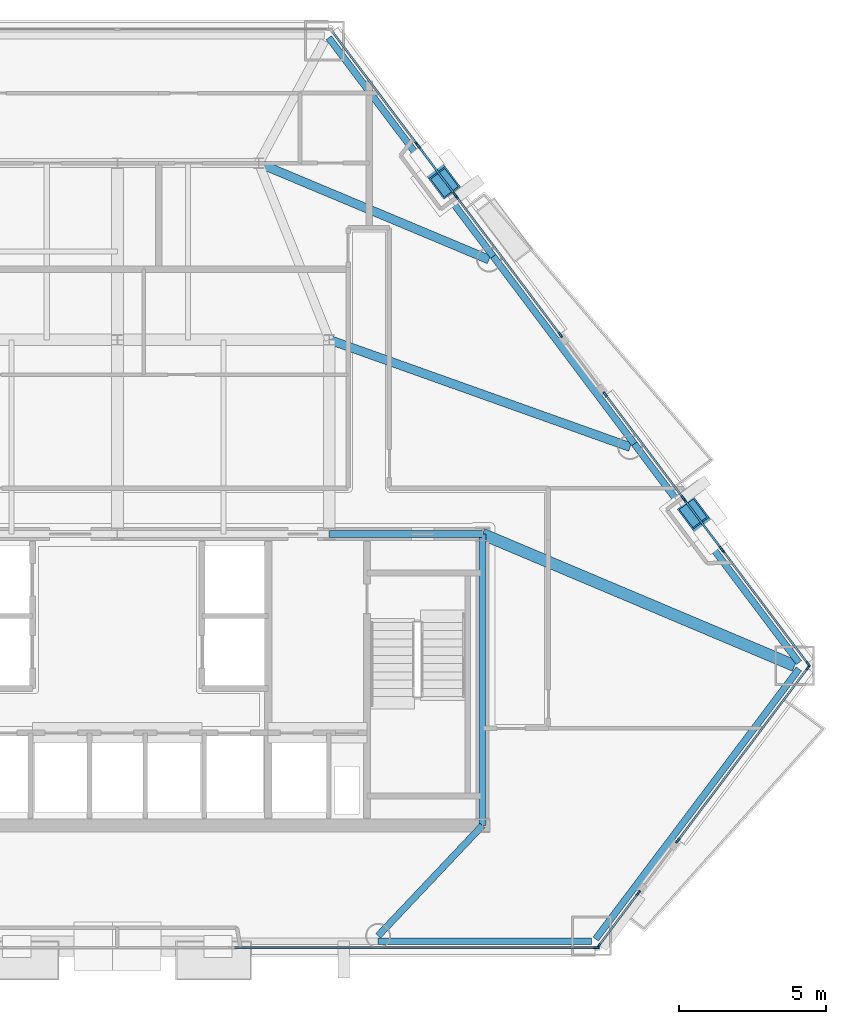
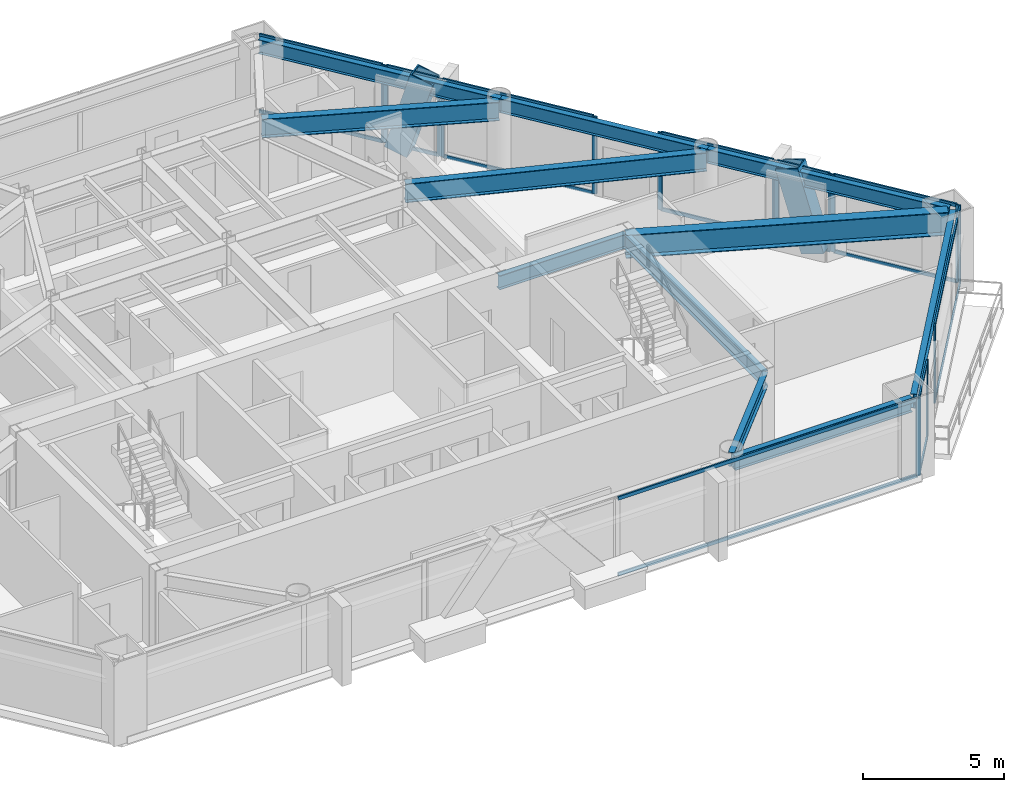
# One storey, part 4 of 11: 36 members, 11 beams, 9 elements without a shape of their own.
"""IFC4 building model written with IfcOpenShell, lengths in metres."""

from ifc_helpers import new_model, si_unit, direction, frame, origin, origin_2d, place, context, subcontext, project, spatial, rectangle, hollow_rectangle, i_section, extrude, material, layer, layer_set, material_profile, profile_set, type_object, element, aggregate, save


model = new_model("IFC4")

# Units and contexts
model_context = context("Model", 3, precision=1e-05, world=origin(), true_north=direction((0.0, 1.0)))
body_context = subcontext(model_context, "Body", "Model", "MODEL_VIEW")
ifc_project = project(units=[si_unit("LENGTHUNIT", "METRE"), si_unit("AREAUNIT", "SQUARE_METRE"), si_unit("VOLUMEUNIT", "CUBIC_METRE"), si_unit("PLANEANGLEUNIT", "RADIAN"), si_unit("MASSUNIT", "GRAM", prefix="KILO")], contexts=[model_context])

# Site, building, storey
site_placement = place(None, origin())
site = spatial("IfcSite", under=ifc_project, at=site_placement, CompositionType="ELEMENT")
building_placement = place(site_placement, origin())
building = spatial("IfcBuilding", under=site, at=building_placement, Name="Talgorran Terracotta Tower", CompositionType="ELEMENT")
storey_placement = place(building_placement, frame((0.0, 0.0, 72.0)))
storey = spatial("IfcBuildingStorey", under=building, at=storey_placement, Name="L18", CompositionType="ELEMENT", Elevation=72.0)

# Beams
ifc_material_1 = material(Name="Steel Grade 350 (350L0)", Category="steel")
ifc_material_profile_1 = material_profile(ifc_material_1, i_section(OverallWidth=0.39990234375, OverallDepth=1.0, WebThickness=0.01611328125, FlangeThickness=0.031005859375, at=origin_2d()), Name="1000WB296")
ifc_profile_set_1 = profile_set([ifc_material_profile_1], Name="Steel Grade 350 (350L0)")
beam_type_1 = type_object("IfcBeamType", Name="BM_1000WB296", PredefinedType="BEAM", material=ifc_profile_set_1)
beam_1_placement = place(storey_placement, frame((12.39990234375, -4.199951171875, 2.85009765625), z_axis=(0.921400833848, -0.388613565619, 0.0), x_axis=(0.388613565619, 0.921400833848, 0.0)))
element("IfcBeam", 1, at=beam_1_placement, inside=storey, type_object=beam_type_1, Name="L18 Floor Girder G18", PredefinedType="BEAM", context=body_context, shape_type="SweptSolid", body=[
    extrude(i_section(OverallWidth=0.39990234375, OverallDepth=1.0, WebThickness=0.01611328125, FlangeThickness=0.031005859375, at=origin_2d()), origin(), (0.0, 0.0, 1.0), 11.510009765625),
])
ifc_material_2 = material(Name="Steel S355 (300PLUS)", Category="steel")
ifc_material_profile_2 = material_profile(ifc_material_2, i_section(OverallWidth=0.300048828125, OverallDepth=0.81591796875, WebThickness=0.013916015625, FlangeThickness=0.028076171875, at=origin_2d()), Name="800WB192")
ifc_profile_set_2 = profile_set([ifc_material_profile_2], Name="Steel S355 (300PLUS)")
beam_type_2 = type_object("IfcBeamType", Name="BM_800WB192", PredefinedType="BEAM", material=ifc_profile_set_2)
beam_2_placement = place(storey_placement, frame((7.199951171875, 2.39990234375, 2.94189453125), z_axis=(0.941876792617, -0.335958490783, 0.0), x_axis=(0.335958490783, 0.941876792617, 0.0)))
element("IfcBeam", 2, at=beam_2_placement, inside=storey, type_object=beam_type_2, Name="L18 Floor Girder G07", PredefinedType="BEAM", context=body_context, shape_type="SweptSolid", body=[
    extrude(i_section(OverallWidth=0.300048828125, OverallDepth=0.81591796875, WebThickness=0.013916015625, FlangeThickness=0.028076171875, at=origin_2d()), origin(), (0.0, 0.0, 1.0), 10.845947265625),
])
beam_3_placement = place(storey_placement, frame((4.800048828125, 8.39990234375, 2.94189453125), z_axis=(0.922404506717, -0.386225227023, 0.0), x_axis=(0.386225227023, 0.922404506717, 0.0)))
element("IfcBeam", 3, at=beam_3_placement, inside=storey, type_object=beam_type_2, Name="L18 Floor Girder G14", PredefinedType="BEAM", context=body_context, shape_type="SweptSolid", body=[
    extrude(i_section(OverallWidth=0.300048828125, OverallDepth=0.81591796875, WebThickness=0.013916015625, FlangeThickness=0.028076171875, at=origin_2d()), origin(), (0.0, 0.0, 1.0), 8.482421875),
])
ifc_material_profile_3 = material_profile(ifc_material_2, i_section(OverallWidth=0.22900390625, OverallDepth=0.611572265625, WebThickness=0.011962890625, FlangeThickness=0.01953125, at=origin_2d()), Name="610UB125")
ifc_profile_set_3 = profile_set([ifc_material_profile_3], Name="Steel S355 (300PLUS)")
beam_type_3 = type_object("IfcBeamType", Name="BM_SP_610UB125", PredefinedType="SPANDREL", material=ifc_profile_set_3)
beam_4_placement = place(storey_placement, frame((8.8564453125, -18.026611328125, 3.044189453125), z_axis=(1.0, 0.0, 0.0), x_axis=(0.0, 1.0, 0.0)))
element("IfcBeam", 4, at=beam_4_placement, inside=storey, type_object=beam_type_3, Name="L18 Perimeter Spandrel Beam FC2-MC3", PredefinedType="SPANDREL", context=body_context, shape_type="SweptSolid", body=[
    extrude(i_section(OverallWidth=0.22900390625, OverallDepth=0.611572265625, WebThickness=0.011962890625, FlangeThickness=0.01953125, at=origin_2d()), origin(), (0.0, 0.0, 1.0), 7.24609375),
])
beam_5_placement = place(storey_placement, frame((16.246337890625, -17.954833984375, 3.044189453125), z_axis=(0.601237780209, 0.799070166913, 0.0), x_axis=(-0.799070166913, 0.601237780209, 0.0)))
element("IfcBeam", 5, at=beam_5_placement, inside=storey, type_object=beam_type_3, Name="L18 Perimeter Spandrel Beam MC3-MC4", PredefinedType="SPANDREL", context=body_context, shape_type="SweptSolid", body=[
    extrude(i_section(OverallWidth=0.22900390625, OverallDepth=0.611572265625, WebThickness=0.011962890625, FlangeThickness=0.01953125, at=origin_2d()), origin(), (0.0, 0.0, 1.0), 11.480712890625),
])
beam_6_placement = place(storey_placement, frame((23.14892578125, -8.564697265625, 3.044189453125), z_axis=(-0.601217758064, 0.799085231617, 0.0), x_axis=(-0.799085231617, -0.601217758064, 0.0)))
element("IfcBeam", 6, at=beam_6_placement, inside=storey, type_object=beam_type_3, Name="L18 Perimeter Spandrel Beam MC4-FC3", PredefinedType="SPANDREL", context=body_context, shape_type="SweptSolid", body=[
    extrude(i_section(OverallWidth=0.22900390625, OverallDepth=0.611572265625, WebThickness=0.011962890625, FlangeThickness=0.01953125, at=origin_2d()), origin(), (0.0, 0.0, 1.0), 9.297119140625),
])
beam_7_placement = place(storey_placement, frame((17.559326171875, -1.135498046875, 3.044189453125), z_axis=(-0.601259066115, 0.799054150489, 0.0), x_axis=(-0.799054150489, -0.601259066115, 0.0)))
element("IfcBeam", 7, at=beam_7_placement, inside=storey, type_object=beam_type_3, Name="L18 Perimeter Spandrel Beam FC3-FC4", PredefinedType="SPANDREL", context=body_context, shape_type="SweptSolid", body=[
    extrude(i_section(OverallWidth=0.22900390625, OverallDepth=0.611572265625, WebThickness=0.011962890625, FlangeThickness=0.01953125, at=origin_2d()), origin(), (0.0, 0.0, 1.0), 7.96875),
])
beam_8_placement = place(storey_placement, frame((12.76806640625, 5.23193359375, 3.044189453125), z_axis=(-0.601247141496, 0.799063123191, 0.0), x_axis=(-0.799063123191, -0.601247141496, 0.0)))
element("IfcBeam", 8, at=beam_8_placement, inside=storey, type_object=beam_type_3, Name="L18 Perimeter Spandrel Beam FC4-MC5", PredefinedType="SPANDREL", context=body_context, shape_type="SweptSolid", body=[
    extrude(i_section(OverallWidth=0.22900390625, OverallDepth=0.611572265625, WebThickness=0.011962890625, FlangeThickness=0.01953125, at=origin_2d()), origin(), (0.0, 0.0, 1.0), 9.297119140625),
])
beam_9_placement = place(storey_placement, frame((12.39990234375, -14.10009765625, 3.044189453125), z_axis=(-0.687137724954, -0.726527182523, 0.0), x_axis=(0.726527182523, -0.687137724954, 0.0)))
element("IfcBeam", 9, at=beam_9_placement, inside=storey, type_object=beam_type_3, Name="L18 South-East Core Tie Beam", PredefinedType="SPANDREL", context=body_context, shape_type="SweptSolid", body=[
    extrude(i_section(OverallWidth=0.22900390625, OverallDepth=0.611572265625, WebThickness=0.011962890625, FlangeThickness=0.01953125, at=origin_2d()), origin(), (0.0, 0.0, 1.0), 5.15673828125),
])
beam_10_placement = place(storey_placement, frame((12.39990234375, -14.10009765625, 3.044189453125), z_axis=(0.0, 1.0, 0.0), x_axis=(-1.0, 0.0, 0.0)))
element("IfcBeam", 10, at=beam_10_placement, inside=storey, type_object=beam_type_3, Name="L18 Core Frame Beam CFE", PredefinedType="SPANDREL", context=body_context, shape_type="SweptSolid", body=[
    extrude(i_section(OverallWidth=0.22900390625, OverallDepth=0.611572265625, WebThickness=0.011962890625, FlangeThickness=0.01953125, at=origin_2d()), origin(), (0.0, 0.0, 1.0), 9.900146484375),
])
beam_11_placement = place(storey_placement, frame((7.199951171875, -4.199951171875, 3.044189453125), z_axis=(1.0, 0.0, 0.0), x_axis=(0.0, 1.0, 0.0)))
element("IfcBeam", 11, at=beam_11_placement, inside=storey, type_object=beam_type_3, Name="L18 Core Frame Beam CFN4", PredefinedType="SPANDREL", context=body_context, shape_type="SweptSolid", body=[
    extrude(i_section(OverallWidth=0.22900390625, OverallDepth=0.611572265625, WebThickness=0.011962890625, FlangeThickness=0.01953125, at=origin_2d()), origin(), (0.0, 0.0, 1.0), 5.199951171875),
])

# Members
ifc_material_profile_4 = material_profile(ifc_material_1, hollow_rectangle(XDim=0.699951171875, YDim=0.89990234375, WallThickness=0.050048828125, at=origin_2d()), Name="WBOX900X700X50")
ifc_profile_set_4 = profile_set([ifc_material_profile_4], Name="Steel Grade 350 (350L0)")
member_type_1 = type_object("IfcMemberType", Name="MB_MEGA_900", PredefinedType="BRACE", material=ifc_profile_set_4)
for number, where, z_axis, x_axis, name in (
    (12, (20.15869140625, -4.291015625, -0.02490234375), (-0.169544414905, 0.225416223311, 0.959396798849), (-0.799178579283, -0.601093668587, 0.0), "L18 Exterior Face Mega-Brace MB-1 (NEL)"),
    (13, (10.51123046875, 8.531005859375, -0.02490234375), (0.169613959459, -0.225348197153, 0.959400487177), (0.798972940561, 0.601366976356, 0.0), "L18 Exterior Face Mega-Brace MB-1 (NEU)"),
):
    element("IfcMember", number, at=place(storey_placement, frame(where, z_axis=z_axis, x_axis=x_axis)), inside=storey, type_object=member_type_1, Name=name, PredefinedType="BRACE", context=body_context, shape_type="SweptSolid", body=[
        extrude(hollow_rectangle(XDim=0.699951171875, YDim=0.89990234375, WallThickness=0.050048828125, at=origin_2d()), origin(), (0.0, 0.0, 1.0), 3.543701171875),
    ])

# Curtain wall, member
ifc_material_3 = material(Name="Unitised Low-E Double Glazing", Category="glass")
ifc_layer = layer(ifc_material_3, 0.199951171875, Name="CW_SYS2_RES_LOW")
ifc_layer_set = layer_set([ifc_layer], Name="Unitised Low-E Double Glazing")
curtain_wall_type = type_object("IfcCurtainWallType", Name="CW_SYS2_RES_LOW", PredefinedType="NOTDEFINED", material=ifc_layer_set)
curtain_wall_1_placement = place(storey_placement, origin())
curtain_wall_1 = element("IfcCurtainWall", 14, at=curtain_wall_1_placement, inside=storey, type_object=curtain_wall_type, Name="CW-L18-F1C", PredefinedType="NOTDEFINED")
ifc_material_4 = material(Name="Architectural Aluminium 6063-T6", Category="aluminium")
ifc_material_profile_5 = material_profile(ifc_material_4, rectangle(XDim=0.06494140625, YDim=0.18505859375, at=origin_2d()), Name="CWM65X185")
ifc_profile_set_5 = profile_set([ifc_material_profile_5], Name="Architectural Aluminium 6063-T6")
member_type_2 = type_object("IfcMemberType", Name="MUL_65X185", PredefinedType="MULLION", material=ifc_profile_set_5)
member_1_placement = place(storey_placement, frame((16.26953125, -18.24658203125, 0.0), z_axis=(0.0, 0.0, 1.0), x_axis=(0.0, 1.0, 0.0)))
member_1 = element("IfcMember", 15, at=member_1_placement, type_object=member_type_2, Name="CW-L18-1C mullion 2", PredefinedType="MULLION", context=body_context, shape_type="SweptSolid", body=[
    extrude(rectangle(XDim=0.06494140625, YDim=0.18505859375, at=origin_2d()), origin(), (0.0, 0.0, 1.0), 3.35009765625),
])

# Curtain wall, members
curtain_wall_2_placement = place(storey_placement, origin())
curtain_wall_2 = element("IfcCurtainWall", 16, at=curtain_wall_2_placement, inside=storey, type_object=curtain_wall_type, Name="CW-L18-F30", PredefinedType="NOTDEFINED")
member_2_placement = place(storey_placement, frame((16.345703125, -18.188720703125, 0.0), z_axis=(0.0, 0.0, 1.0), x_axis=(-0.799054978585, 0.601257965601, 0.0)))
member_2 = element("IfcMember", 17, at=member_2_placement, type_object=member_type_2, Name="CW-L18-30 mullion 1", PredefinedType="MULLION", context=body_context, shape_type="SweptSolid", body=[
    extrude(rectangle(XDim=0.06494140625, YDim=0.18505859375, at=origin_2d()), origin(), (0.0, 0.0, 1.0), 3.35009765625),
])
member_3_placement = place(storey_placement, frame((17.697509765625, -16.39208984375, 0.0), z_axis=(0.0, 0.0, 1.0), x_axis=(-0.799054978585, 0.601257965601, 0.0)))
member_3 = element("IfcMember", 18, at=member_3_placement, type_object=member_type_2, Name="CW-L18-30 mullion 2", PredefinedType="MULLION", context=body_context, shape_type="SweptSolid", body=[
    extrude(rectangle(XDim=0.06494140625, YDim=0.18505859375, at=origin_2d()), origin(), (0.0, 0.0, 1.0), 3.35009765625),
])

curtain_wall_3_placement = place(storey_placement, origin())
curtain_wall_3 = element("IfcCurtainWall", 19, at=curtain_wall_3_placement, inside=storey, type_object=curtain_wall_type, Name="CW-L18-F31", PredefinedType="NOTDEFINED")
member_4_placement = place(storey_placement, frame((19.035400390625, -14.614013671875, 0.0), z_axis=(0.0, 0.0, 1.0), x_axis=(-0.799060391354, 0.601250772116, 0.0)))
member_4 = element("IfcMember", 20, at=member_4_placement, type_object=member_type_2, Name="CW-L18-31 mullion 1", PredefinedType="MULLION", context=body_context, shape_type="SweptSolid", body=[
    extrude(rectangle(XDim=0.06494140625, YDim=0.18505859375, at=origin_2d()), origin(), (0.0, 0.0, 1.0), 3.35009765625),
])
member_5_placement = place(storey_placement, frame((23.462158203125, -8.730712890625, 0.0), z_axis=(0.0, 0.0, 1.0), x_axis=(-0.799060391354, 0.601250772116, 0.0)))
member_5 = element("IfcMember", 21, at=member_5_placement, type_object=member_type_2, Name="CW-L18-31 mullion 2", PredefinedType="MULLION", context=body_context, shape_type="SweptSolid", body=[
    extrude(rectangle(XDim=0.06494140625, YDim=0.18505859375, at=origin_2d()), origin(), (0.0, 0.0, 1.0), 3.35009765625),
])

curtain_wall_4_placement = place(storey_placement, origin())
curtain_wall_4 = element("IfcCurtainWall", 22, at=curtain_wall_4_placement, inside=storey, type_object=curtain_wall_type, Name="CW-L18-F40", PredefinedType="NOTDEFINED")
member_6_placement = place(storey_placement, frame((23.462158203125, -8.61474609375, 0.0), z_axis=(0.0, 0.0, 1.0), x_axis=(-0.799068417973, -0.601240104615, 0.0)))
member_6 = element("IfcMember", 23, at=member_6_placement, type_object=member_type_2, Name="CW-L18-40 mullion 1", PredefinedType="MULLION", context=body_context, shape_type="SweptSolid", body=[
    extrude(rectangle(XDim=0.06494140625, YDim=0.18505859375, at=origin_2d()), origin(), (0.0, 0.0, 1.0), 3.35009765625),
])
member_7_placement = place(storey_placement, frame((20.56298828125, -4.76171875, 0.0), z_axis=(0.0, 0.0, 1.0), x_axis=(-0.799068417973, -0.601240104615, 0.0)))
member_7 = element("IfcMember", 24, at=member_7_placement, type_object=member_type_2, Name="CW-L18-40 mullion 2", PredefinedType="MULLION", context=body_context, shape_type="SweptSolid", body=[
    extrude(rectangle(XDim=0.06494140625, YDim=0.18505859375, at=origin_2d()), origin(), (0.0, 0.0, 1.0), 3.35009765625),
])

curtain_wall_5_placement = place(storey_placement, origin())
curtain_wall_5 = element("IfcCurtainWall", 25, at=curtain_wall_5_placement, inside=storey, type_object=curtain_wall_type, Name="CW-L18-F40B", PredefinedType="NOTDEFINED")
member_8_placement = place(storey_placement, frame((20.51806640625, -4.701904296875, 0.0), z_axis=(0.0, 0.0, 1.0), x_axis=(-0.79906266779, -0.601247746727, 0.0)))
member_8 = element("IfcMember", 26, at=member_8_placement, type_object=member_type_2, Name="CW-L18-40B mullion 1", PredefinedType="MULLION", context=body_context, shape_type="SweptSolid", body=[
    extrude(rectangle(XDim=0.06494140625, YDim=0.18505859375, at=origin_2d()), origin(), (0.0, 0.0, 1.0), 3.35009765625),
])
member_9_placement = place(storey_placement, frame((19.262451171875, -3.033447265625, 0.0), z_axis=(0.0, 0.0, 1.0), x_axis=(-0.79906266779, -0.601247746727, 0.0)))
member_9 = element("IfcMember", 27, at=member_9_placement, type_object=member_type_2, Name="CW-L18-40B mullion 2", PredefinedType="MULLION", context=body_context, shape_type="SweptSolid", body=[
    extrude(rectangle(XDim=0.06494140625, YDim=0.18505859375, at=origin_2d()), origin(), (0.0, 0.0, 1.0), 3.35009765625),
])

curtain_wall_6_placement = place(storey_placement, origin())
curtain_wall_6 = element("IfcCurtainWall", 28, at=curtain_wall_6_placement, inside=storey, type_object=curtain_wall_type, Name="CW-L18-F40C", PredefinedType="NOTDEFINED")
member_10_placement = place(storey_placement, frame((19.217529296875, -2.973388671875, 0.0), z_axis=(0.0, 0.0, 1.0), x_axis=(-0.799065477074, -0.601244013149, 0.0)))
member_10 = element("IfcMember", 29, at=member_10_placement, type_object=member_type_2, Name="CW-L18-40C mullion 1", PredefinedType="MULLION", context=body_context, shape_type="SweptSolid", body=[
    extrude(rectangle(XDim=0.06494140625, YDim=0.18505859375, at=origin_2d()), origin(), (0.0, 0.0, 1.0), 3.35009765625),
])
member_11_placement = place(storey_placement, frame((16.567138671875, 0.549072265625, 0.0), z_axis=(0.0, 0.0, 1.0), x_axis=(-0.799065477074, -0.601244013149, 0.0)))
member_11 = element("IfcMember", 30, at=member_11_placement, type_object=member_type_2, Name="CW-L18-40C mullion 2", PredefinedType="MULLION", context=body_context, shape_type="SweptSolid", body=[
    extrude(rectangle(XDim=0.06494140625, YDim=0.18505859375, at=origin_2d()), origin(), (0.0, 0.0, 1.0), 3.35009765625),
])

curtain_wall_7_placement = place(storey_placement, origin())
curtain_wall_7 = element("IfcCurtainWall", 31, at=curtain_wall_7_placement, inside=storey, type_object=curtain_wall_type, Name="CW-L18-F41", PredefinedType="NOTDEFINED")
member_12_placement = place(storey_placement, frame((15.049072265625, 2.566650390625, 0.0), z_axis=(0.0, 0.0, 1.0), x_axis=(-0.799063726, -0.601246340356, 0.0)))
member_12 = element("IfcMember", 32, at=member_12_placement, type_object=member_type_2, Name="CW-L18-41 mullion 1", PredefinedType="MULLION", context=body_context, shape_type="SweptSolid", body=[
    extrude(rectangle(XDim=0.06494140625, YDim=0.18505859375, at=origin_2d()), origin(), (0.0, 0.0, 1.0), 3.35009765625),
])
member_13_placement = place(storey_placement, frame((11.516357421875, 7.261474609375, 0.0), z_axis=(0.0, 0.0, 1.0), x_axis=(-0.799063726, -0.601246340356, 0.0)))
member_13 = element("IfcMember", 33, at=member_13_placement, type_object=member_type_2, Name="CW-L18-41 mullion 2", PredefinedType="MULLION", context=body_context, shape_type="SweptSolid", body=[
    extrude(rectangle(XDim=0.06494140625, YDim=0.18505859375, at=origin_2d()), origin(), (0.0, 0.0, 1.0), 3.35009765625),
])

curtain_wall_8_placement = place(storey_placement, origin())
curtain_wall_8 = element("IfcCurtainWall", 34, at=curtain_wall_8_placement, inside=storey, type_object=curtain_wall_type, Name="CW-L18-F41B", PredefinedType="NOTDEFINED")
member_14_placement = place(storey_placement, frame((11.471435546875, 7.3212890625, 0.0), z_axis=(0.0, 0.0, 1.0), x_axis=(-0.79906266779, -0.601247746727, 0.0)))
member_14 = element("IfcMember", 35, at=member_14_placement, type_object=member_type_2, Name="CW-L18-41B mullion 1", PredefinedType="MULLION", context=body_context, shape_type="SweptSolid", body=[
    extrude(rectangle(XDim=0.06494140625, YDim=0.18505859375, at=origin_2d()), origin(), (0.0, 0.0, 1.0), 3.35009765625),
])
member_15_placement = place(storey_placement, frame((10.2158203125, 8.98974609375, 0.0), z_axis=(0.0, 0.0, 1.0), x_axis=(-0.79906266779, -0.601247746727, 0.0)))
member_15 = element("IfcMember", 36, at=member_15_placement, type_object=member_type_2, Name="CW-L18-41B mullion 2", PredefinedType="MULLION", context=body_context, shape_type="SweptSolid", body=[
    extrude(rectangle(XDim=0.06494140625, YDim=0.18505859375, at=origin_2d()), origin(), (0.0, 0.0, 1.0), 3.35009765625),
])

# Curtain wall, member
curtain_wall_9_placement = place(storey_placement, origin())
curtain_wall_9 = element("IfcCurtainWall", 37, at=curtain_wall_9_placement, inside=storey, type_object=curtain_wall_type, Name="CW-L18-F41C", PredefinedType="NOTDEFINED")
member_16_placement = place(storey_placement, frame((10.1708984375, 9.0498046875, 0.0), z_axis=(0.0, 0.0, 1.0), x_axis=(-0.799059093593, -0.601252496831, 0.0)))
member_16 = element("IfcMember", 38, at=member_16_placement, type_object=member_type_2, Name="CW-L18-41C mullion 1", PredefinedType="MULLION", context=body_context, shape_type="SweptSolid", body=[
    extrude(rectangle(XDim=0.06494140625, YDim=0.18505859375, at=origin_2d()), origin(), (0.0, 0.0, 1.0), 3.35009765625),
])

# Member
ifc_material_profile_6 = material_profile(ifc_material_4, rectangle(XDim=0.06494140625, YDim=0.14990234375, at=origin_2d()), Name="CWT65X150")
ifc_profile_set_6 = profile_set([ifc_material_profile_6], Name="Architectural Aluminium 6063-T6")
member_type_3 = type_object("IfcMemberType", Name="TRN_65X150", PredefinedType="USERDEFINED", material=ifc_profile_set_6)
member_17_placement = place(storey_placement, frame((3.98828125, -18.24658203125, 0.032470703125), z_axis=(1.0, 0.0, 0.0), x_axis=(0.0, 1.0, 0.0)))
member_17 = element("IfcMember", 39, at=member_17_placement, type_object=member_type_3, Name="CW-L18-1C transom 1.1", ObjectType="TRANSOM", PredefinedType="USERDEFINED", context=body_context, shape_type="SweptSolid", body=[
    extrude(rectangle(XDim=0.06494140625, YDim=0.14990234375, at=origin_2d()), origin(), (0.0, 0.0, 1.0), 12.248779296875),
])

member_18_placement = place(storey_placement, frame((3.98828125, -18.24658203125, 3.3173828125), z_axis=(1.0, 0.0, 0.0), x_axis=(0.0, 1.0, 0.0)))
member_18 = element("IfcMember", 40, at=member_18_placement, type_object=member_type_3, Name="CW-L18-1C transom 1.2", ObjectType="TRANSOM", PredefinedType="USERDEFINED", context=body_context, shape_type="SweptSolid", body=[
    extrude(rectangle(XDim=0.06494140625, YDim=0.14990234375, at=origin_2d()), origin(), (0.0, 0.0, 1.0), 12.248779296875),
])

aggregate(curtain_wall_1, [member_1, member_17, member_18])

member_19_placement = place(storey_placement, frame((16.365234375, -18.162841796875, 0.032470703125), z_axis=(0.60119792091, 0.799100156359, 0.0), x_axis=(-0.799100156359, 0.60119792091, 0.0)))
member_19 = element("IfcMember", 41, at=member_19_placement, type_object=member_type_3, Name="CW-L18-30 transom 1.1", ObjectType="TRANSOM", PredefinedType="USERDEFINED", context=body_context, shape_type="SweptSolid", body=[
    extrude(rectangle(XDim=0.06494140625, YDim=0.14990234375, at=origin_2d()), origin(), (0.0, 0.0, 1.0), 2.18359375),
])

member_20_placement = place(storey_placement, frame((16.365234375, -18.162841796875, 3.3173828125), z_axis=(0.60119792091, 0.799100156359, 0.0), x_axis=(-0.799100156359, 0.60119792091, 0.0)))
member_20 = element("IfcMember", 42, at=member_20_placement, type_object=member_type_3, Name="CW-L18-30 transom 1.2", ObjectType="TRANSOM", PredefinedType="USERDEFINED", context=body_context, shape_type="SweptSolid", body=[
    extrude(rectangle(XDim=0.06494140625, YDim=0.14990234375, at=origin_2d()), origin(), (0.0, 0.0, 1.0), 2.18359375),
])

aggregate(curtain_wall_2, [member_2, member_3, member_19, member_20])

member_21_placement = place(storey_placement, frame((19.054931640625, -14.588134765625, 0.032470703125), z_axis=(0.601246459162, 0.799063636606, 0.0), x_axis=(-0.799063636606, 0.601246459162, 0.0)))
member_21 = element("IfcMember", 43, at=member_21_placement, type_object=member_type_3, Name="CW-L18-31 transom 1.1", ObjectType="TRANSOM", PredefinedType="USERDEFINED", context=body_context, shape_type="SweptSolid", body=[
    extrude(rectangle(XDim=0.06494140625, YDim=0.14990234375, at=origin_2d()), origin(), (0.0, 0.0, 1.0), 7.297607421875),
])

member_22_placement = place(storey_placement, frame((19.054931640625, -14.588134765625, 3.3173828125), z_axis=(0.601246459162, 0.799063636606, 0.0), x_axis=(-0.799063636606, 0.601246459162, 0.0)))
member_22 = element("IfcMember", 44, at=member_22_placement, type_object=member_type_3, Name="CW-L18-31 transom 1.2", ObjectType="TRANSOM", PredefinedType="USERDEFINED", context=body_context, shape_type="SweptSolid", body=[
    extrude(rectangle(XDim=0.06494140625, YDim=0.14990234375, at=origin_2d()), origin(), (0.0, 0.0, 1.0), 7.297607421875),
])

aggregate(curtain_wall_3, [member_4, member_5, member_21, member_22])

member_23_placement = place(storey_placement, frame((23.442626953125, -8.5888671875, 0.032470703125), z_axis=(-0.601231004094, 0.799075265364, 0.0), x_axis=(-0.799075265364, -0.601231004094, 0.0)))
member_23 = element("IfcMember", 45, at=member_23_placement, type_object=member_type_3, Name="CW-L18-40 transom 1.1", ObjectType="TRANSOM", PredefinedType="USERDEFINED", context=body_context, shape_type="SweptSolid", body=[
    extrude(rectangle(XDim=0.06494140625, YDim=0.14990234375, at=origin_2d()), origin(), (0.0, 0.0, 1.0), 4.757080078125),
])

member_24_placement = place(storey_placement, frame((23.442626953125, -8.5888671875, 3.3173828125), z_axis=(-0.601231004094, 0.799075265364, 0.0), x_axis=(-0.799075265364, -0.601231004094, 0.0)))
member_24 = element("IfcMember", 46, at=member_24_placement, type_object=member_type_3, Name="CW-L18-40 transom 1.2", ObjectType="TRANSOM", PredefinedType="USERDEFINED", context=body_context, shape_type="SweptSolid", body=[
    extrude(rectangle(XDim=0.06494140625, YDim=0.14990234375, at=origin_2d()), origin(), (0.0, 0.0, 1.0), 4.757080078125),
])

aggregate(curtain_wall_4, [member_6, member_7, member_23, member_24])

member_25_placement = place(storey_placement, frame((20.49853515625, -4.67578125, 0.032470703125), z_axis=(-0.601331437526, 0.798999688513, 0.0), x_axis=(-0.798999688513, -0.601331437526, 0.0)))
member_25 = element("IfcMember", 47, at=member_25_placement, type_object=member_type_3, Name="CW-L18-40B transom 1.1", ObjectType="TRANSOM", PredefinedType="USERDEFINED", context=body_context, shape_type="SweptSolid", body=[
    extrude(rectangle(XDim=0.06494140625, YDim=0.14990234375, at=origin_2d()), origin(), (0.0, 0.0, 1.0), 2.023193359375),
])

member_26_placement = place(storey_placement, frame((20.49853515625, -4.67578125, 3.3173828125), z_axis=(-0.601331437526, 0.798999688513, 0.0), x_axis=(-0.798999688513, -0.601331437526, 0.0)))
member_26 = element("IfcMember", 48, at=member_26_placement, type_object=member_type_3, Name="CW-L18-40B transom 1.2", ObjectType="TRANSOM", PredefinedType="USERDEFINED", context=body_context, shape_type="SweptSolid", body=[
    extrude(rectangle(XDim=0.06494140625, YDim=0.14990234375, at=origin_2d()), origin(), (0.0, 0.0, 1.0), 2.023193359375),
])

aggregate(curtain_wall_5, [member_8, member_9, member_25, member_26])

member_27_placement = place(storey_placement, frame((19.197998046875, -2.947509765625, 0.032470703125), z_axis=(-0.601249434493, 0.799061397842, 0.0), x_axis=(-0.799061397842, -0.601249434493, 0.0)))
member_27 = element("IfcMember", 49, at=member_27_placement, type_object=member_type_3, Name="CW-L18-40C transom 1.1", ObjectType="TRANSOM", PredefinedType="USERDEFINED", context=body_context, shape_type="SweptSolid", body=[
    extrude(rectangle(XDim=0.06494140625, YDim=0.14990234375, at=origin_2d()), origin(), (0.0, 0.0, 1.0), 4.34326171875),
])

member_28_placement = place(storey_placement, frame((19.197998046875, -2.947509765625, 3.3173828125), z_axis=(-0.601249434493, 0.799061397842, 0.0), x_axis=(-0.799061397842, -0.601249434493, 0.0)))
member_28 = element("IfcMember", 50, at=member_28_placement, type_object=member_type_3, Name="CW-L18-40C transom 1.2", ObjectType="TRANSOM", PredefinedType="USERDEFINED", context=body_context, shape_type="SweptSolid", body=[
    extrude(rectangle(XDim=0.06494140625, YDim=0.14990234375, at=origin_2d()), origin(), (0.0, 0.0, 1.0), 4.34326171875),
])

aggregate(curtain_wall_6, [member_10, member_11, member_27, member_28])

member_29_placement = place(storey_placement, frame((15.029541015625, 2.592529296875, 0.032470703125), z_axis=(-0.601269851216, 0.799046034981, 0.0), x_axis=(-0.799046034981, -0.601269851216, 0.0)))
member_29 = element("IfcMember", 51, at=member_29_placement, type_object=member_type_3, Name="CW-L18-41 transom 1.1", ObjectType="TRANSOM", PredefinedType="USERDEFINED", context=body_context, shape_type="SweptSolid", body=[
    extrude(rectangle(XDim=0.06494140625, YDim=0.14990234375, at=origin_2d()), origin(), (0.0, 0.0, 1.0), 5.810546875),
])

member_30_placement = place(storey_placement, frame((15.029541015625, 2.592529296875, 3.3173828125), z_axis=(-0.601269851216, 0.799046034981, 0.0), x_axis=(-0.799046034981, -0.601269851216, 0.0)))
member_30 = element("IfcMember", 52, at=member_30_placement, type_object=member_type_3, Name="CW-L18-41 transom 1.2", ObjectType="TRANSOM", PredefinedType="USERDEFINED", context=body_context, shape_type="SweptSolid", body=[
    extrude(rectangle(XDim=0.06494140625, YDim=0.14990234375, at=origin_2d()), origin(), (0.0, 0.0, 1.0), 5.810546875),
])

aggregate(curtain_wall_7, [member_12, member_13, member_29, member_30])

member_31_placement = place(storey_placement, frame((11.451904296875, 7.347412109375, 0.032470703125), z_axis=(-0.601254389145, 0.799057669717, 0.0), x_axis=(-0.799057669717, -0.601254389145, 0.0)))
member_31 = element("IfcMember", 53, at=member_31_placement, type_object=member_type_3, Name="CW-L18-41B transom 1.1", ObjectType="TRANSOM", PredefinedType="USERDEFINED", context=body_context, shape_type="SweptSolid", body=[
    extrude(rectangle(XDim=0.06494140625, YDim=0.14990234375, at=origin_2d()), origin(), (0.0, 0.0, 1.0), 2.02294921875),
])

member_32_placement = place(storey_placement, frame((11.451904296875, 7.347412109375, 3.3173828125), z_axis=(-0.601254389145, 0.799057669717, 0.0), x_axis=(-0.799057669717, -0.601254389145, 0.0)))
member_32 = element("IfcMember", 54, at=member_32_placement, type_object=member_type_3, Name="CW-L18-41B transom 1.2", ObjectType="TRANSOM", PredefinedType="USERDEFINED", context=body_context, shape_type="SweptSolid", body=[
    extrude(rectangle(XDim=0.06494140625, YDim=0.14990234375, at=origin_2d()), origin(), (0.0, 0.0, 1.0), 2.02294921875),
])

aggregate(curtain_wall_8, [member_14, member_15, member_31, member_32])

member_33_placement = place(storey_placement, frame((10.1513671875, 9.07568359375, 0.032470703125), z_axis=(-0.601258242707, 0.799054770074, 0.0), x_axis=(-0.799054770074, -0.601258242707, 0.0)))
member_33 = element("IfcMember", 55, at=member_33_placement, type_object=member_type_3, Name="CW-L18-41C transom 1.1", ObjectType="TRANSOM", PredefinedType="USERDEFINED", context=body_context, shape_type="SweptSolid", body=[
    extrude(rectangle(XDim=0.06494140625, YDim=0.14990234375, at=origin_2d()), origin(), (0.0, 0.0, 1.0), 4.7470703125),
])

member_34_placement = place(storey_placement, frame((10.1513671875, 9.07568359375, 3.3173828125), z_axis=(-0.601258242707, 0.799054770074, 0.0), x_axis=(-0.799054770074, -0.601258242707, 0.0)))
member_34 = element("IfcMember", 56, at=member_34_placement, type_object=member_type_3, Name="CW-L18-41C transom 1.2", ObjectType="TRANSOM", PredefinedType="USERDEFINED", context=body_context, shape_type="SweptSolid", body=[
    extrude(rectangle(XDim=0.06494140625, YDim=0.14990234375, at=origin_2d()), origin(), (0.0, 0.0, 1.0), 4.7470703125),
])

aggregate(curtain_wall_9, [member_16, member_33, member_34])

save(model, "model.ifc")
